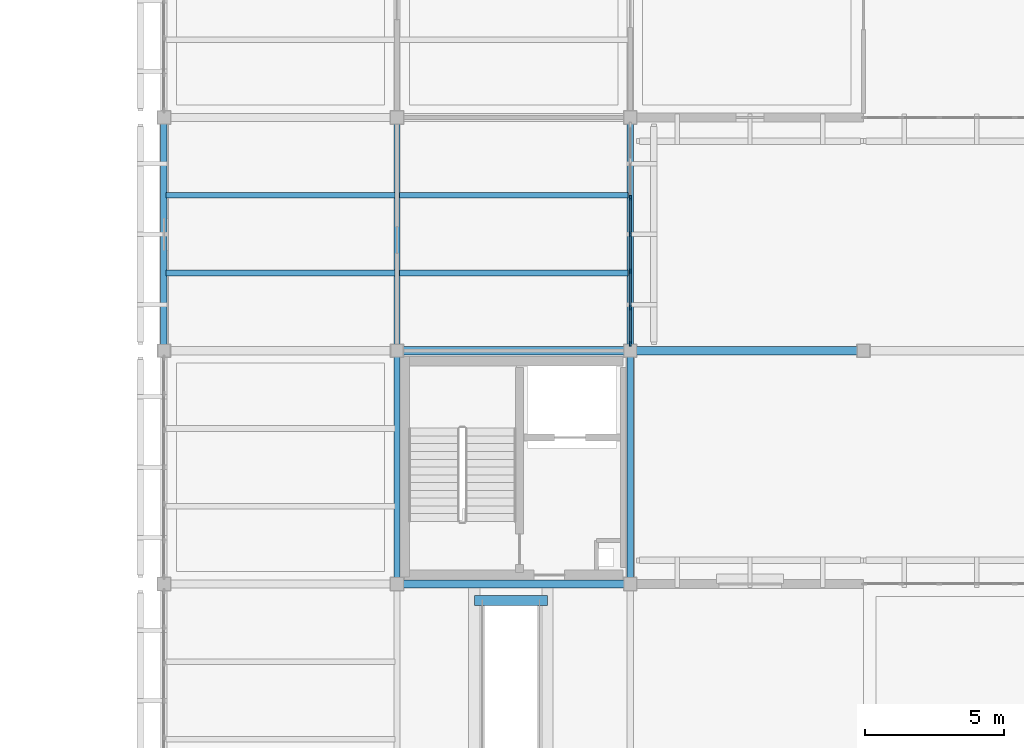
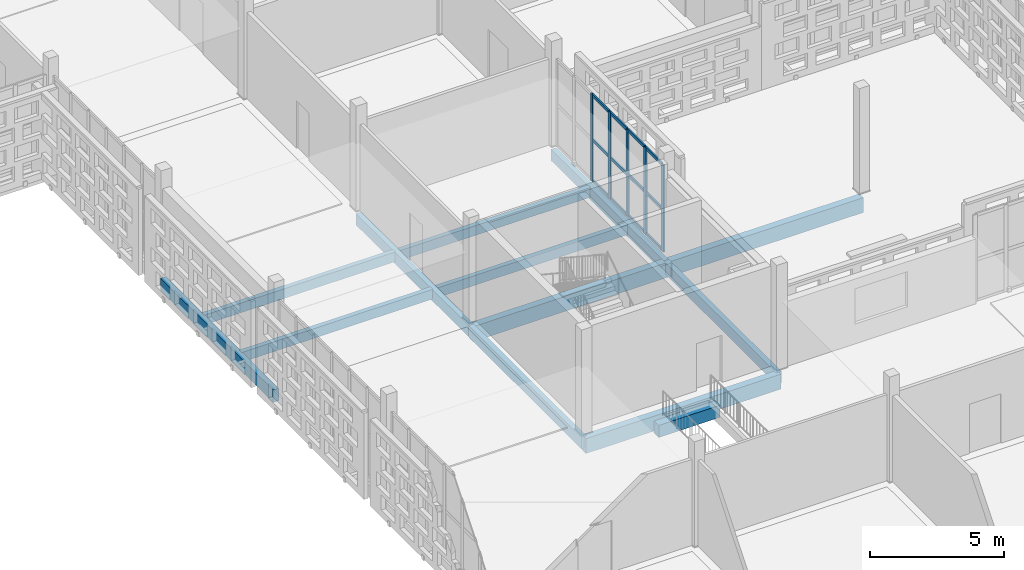
# One storey, part 18 of 203: 17 members, 13 beams, 1 element without a shape of its own.
"""IFC4 building model written with IfcOpenShell, lengths in metres."""

import ifcopenshell
import ifcopenshell.guid

model = None  # the IFC model being written
_history = None  # IfcOwnerHistory: only IFC2X3 demands one
_inside = {}  # id of a spatial element -> (the spatial element, [elements in it])
_under = {}  # id of a project, library or spatial element -> (it, [spatial elements below it])
_declared = {}  # id of a project -> (the project, [libraries it declares])
_typed = {}  # id of a type object -> (the type object, [elements of that type])
_made_of = {}  # id of a material, layer set ... -> (it, [elements and type objects made of it])


def new_model(schema):
    """Start an empty IFC model of exactly this schema.

    Asked for "IFC4X3", IfcOpenShell would pick the latest addendum, in which some entities
    have other attributes; the version numbers below select the first issue.
    IFC2X3 requires an IfcOwnerHistory on every rooted entity: one is made here for all.
    """
    global model, _history
    if schema == "IFC4X3":
        model = ifcopenshell.file(schema_version=(4, 3, 0, 0))
    else:
        model = ifcopenshell.file(schema=schema)
    _inside.clear()
    _under.clear()
    _declared.clear()
    _typed.clear()
    _made_of.clear()
    _history = None
    if model.schema == "IFC2X3":
        org = make("IfcOrganization", Name="unknown")
        user = make(
            "IfcPersonAndOrganization",
            ThePerson=make("IfcPerson", FamilyName="unknown"),
            TheOrganization=org,
        )
        app = make(
            "IfcApplication",
            ApplicationDeveloper=org,
            Version="unknown",
            ApplicationFullName="unknown",
            ApplicationIdentifier="unknown",
        )
        _history = make(
            "IfcOwnerHistory",
            OwningUser=user,
            OwningApplication=app,
            ChangeAction="ADDED",
            CreationDate=0,
        )
    return model


def make(cls, **values):
    """One entity of the class cls with the attributes given. An attribute that is None is left unset."""
    return model.create_entity(
        cls, **{name: value for name, value in values.items() if value is not None}
    )


def rooted(cls, **values):
    """An entity with a GlobalId (a new one), such as an element, a storey or a relation."""
    return make(cls, GlobalId=ifcopenshell.guid.new(), OwnerHistory=_history, **values)


def si_unit(unit_type, name, prefix=None):
    """IfcSIUnit, for example si_unit("LENGTHUNIT", "METRE", prefix="MILLI")."""
    return make("IfcSIUnit", UnitType=unit_type, Prefix=prefix, Name=name)


def assignment(units):
    """IfcUnitAssignment: the units of a project."""
    return None if units is None else make("IfcUnitAssignment", Units=units)


def point(xyz):
    """IfcCartesianPoint."""
    return None if xyz is None else make("IfcCartesianPoint", Coordinates=xyz)


def direction(xyz):
    """IfcDirection."""
    return None if xyz is None else make("IfcDirection", DirectionRatios=xyz)


def frame(location, z_axis=None, x_axis=None):
    """IfcAxis2Placement3D, a coordinate frame: its origin and axes. An axis left out is left unset."""
    return make(
        "IfcAxis2Placement3D",
        Location=point(location),
        Axis=direction(z_axis),
        RefDirection=direction(x_axis),
    )


def frame_2d(location, x_axis=None):
    """IfcAxis2Placement2D, a coordinate frame in the plane: its origin and x axis."""
    return make(
        "IfcAxis2Placement2D", Location=point(location), RefDirection=direction(x_axis)
    )


def origin():
    """The frame at (0, 0, 0) with its axes left unset."""
    return frame((0.0, 0.0, 0.0))


def origin_2d():
    """The frame at (0, 0) in the plane with its x axis left unset."""
    return frame_2d((0.0, 0.0))


def place(relative_to, where):
    """IfcLocalPlacement: puts the frame where relative to a parent placement (None: the world)."""
    return make(
        "IfcLocalPlacement", PlacementRelTo=relative_to, RelativePlacement=where
    )


def context(
    kind, dimensions, precision=None, world=None, true_north=None, identifier=None
):
    """IfcGeometricRepresentationContext, for example the 3D "Model" context."""
    return make(
        "IfcGeometricRepresentationContext",
        ContextIdentifier=identifier,
        ContextType=kind,
        CoordinateSpaceDimension=dimensions,
        Precision=precision,
        WorldCoordinateSystem=world,
        TrueNorth=true_north,
    )


def subcontext(parent, identifier, kind, view, scale=None):
    """IfcGeometricRepresentationSubContext, for example "Body" below "Model"."""
    return make(
        "IfcGeometricRepresentationSubContext",
        ContextIdentifier=identifier,
        ContextType=kind,
        ParentContext=parent,
        TargetScale=scale,
        TargetView=view,
    )


def project(units=None, contexts=None):
    """IfcProject with its units and contexts."""
    return rooted(
        "IfcProject",
        Name="project",
        RepresentationContexts=contexts,
        UnitsInContext=assignment(units),
    )


def spatial(cls, under=None, at=None, **own):
    """A site, building, storey or space (cls), placed at a placement, below another one or the project."""
    s = rooted(cls, ObjectPlacement=at, **own)
    if under is not None:
        _under.setdefault(under.id(), (under, []))[1].append(s)
    return s


def profile(cls, at=None, kind="AREA", **sizes):
    """A parametric profile (cls). Its sizes go by their IFC names, for example OverallWidth=200.0."""
    return make(cls, ProfileType=kind, Position=at, **sizes)


def rectangle(**sizes):
    """IfcRectangleProfileDef."""
    return profile("IfcRectangleProfileDef", **sizes)


def extrude(swept, where, along, depth):
    """IfcExtrudedAreaSolid: the profile swept, set in the frame where, extruded along a direction by depth."""
    return make(
        "IfcExtrudedAreaSolid",
        SweptArea=swept,
        Position=where,
        ExtrudedDirection=direction(along),
        Depth=depth,
    )


def shape(context_of_items, identifier, shape_type, items):
    """IfcShapeRepresentation: the items that make up one representation, for example the "Body"."""
    return make(
        "IfcShapeRepresentation",
        ContextOfItems=context_of_items,
        RepresentationIdentifier=identifier,
        RepresentationType=shape_type,
        Items=items,
    )


def material(Name=None, Category=None):
    """IfcMaterial."""
    return make("IfcMaterial", Name=Name, Category=Category)


def layer(
    of_material, thickness, ventilated=None, Name=None, Category=None, Priority=None
):
    """IfcMaterialLayer: one layer of a wall or slab, of a material (None: an air gap)."""
    return make(
        "IfcMaterialLayer",
        Material=of_material,
        LayerThickness=thickness,
        IsVentilated=ventilated,
        Name=Name,
        Category=Category,
        Priority=Priority,
    )


def layer_set(layers, Name=None):
    """IfcMaterialLayerSet."""
    return make("IfcMaterialLayerSet", MaterialLayers=layers, LayerSetName=Name)


def material_profile(
    of_material, cross_section, Name=None, Category=None, Priority=None
):
    """IfcMaterialProfile: a cross section and its material."""
    return make(
        "IfcMaterialProfile",
        Name=Name,
        Material=of_material,
        Profile=cross_section,
        Priority=Priority,
        Category=Category,
    )


def profile_set(profiles, Name=None, composite=None):
    """IfcMaterialProfileSet."""
    return make(
        "IfcMaterialProfileSet",
        Name=Name,
        MaterialProfiles=profiles,
        CompositeProfile=composite,
    )


def made_of(thing, what):
    """Note that an element or type object is made of a material, layer set ...; save() writes the relation."""
    if what is not None:
        _made_of.setdefault(what.id(), (what, []))[1].append(thing)
    return thing


def type_object(cls, material=None, **own):
    """A type object (cls), such as IfcWallType, which elements share."""
    return made_of(rooted(cls, **own), material)


def element(
    cls,
    number,
    at=None,
    inside=None,
    cuts=None,
    type_object=None,
    material=None,
    context=None,
    identifier="Body",
    shape_type=None,
    held_by="IfcProductDefinitionShape",
    body=None,
    shapes=None,
    **own,
):
    """One element of the class cls, such as IfcWall. Its Tag is "e" and its number.

    at: its placement. inside: the storey or other place that contains it. cuts: it is an
    opening in that element (IfcRelVoidsElement). A single representation is given by context,
    identifier, shape_type and body (its items); several are given by shapes. held_by: the class
    of the entity that holds the representations. save() writes the other relations.
    """
    e = rooted(cls, Tag="e%d" % number, ObjectPlacement=at, **own)
    if body is not None:
        shapes = [shape(context, identifier, shape_type, body)]
    if shapes is not None:
        e.Representation = make(held_by, Representations=shapes)
    if inside is not None:
        _inside.setdefault(inside.id(), (inside, []))[1].append(e)
    if cuts is not None:
        rooted(
            "IfcRelVoidsElement", RelatingBuildingElement=cuts, RelatedOpeningElement=e
        )
    if type_object is not None:
        _typed.setdefault(type_object.id(), (type_object, []))[1].append(e)
    return made_of(e, material)


def aggregate(whole, parts):
    """IfcRelAggregates: a whole, such as a stair, and the parts it consists of."""
    return rooted("IfcRelAggregates", RelatingObject=whole, RelatedObjects=parts)


def save(model, path):
    """Write the relations noted so far, then the file.

    IfcRelAggregates (storeys below a building ...), IfcRelContainedInSpatialStructure (elements
    in a storey), IfcRelDefinesByType, IfcRelAssociatesMaterial and IfcRelDeclares: one each for
    every whole, place, type object, material and project.
    """
    for whole, parts in _under.values():
        aggregate(whole, parts)
    for where, things in _inside.values():
        rooted(
            "IfcRelContainedInSpatialStructure",
            RelatedElements=things,
            RelatingStructure=where,
        )
    for kind, things in _typed.values():
        rooted("IfcRelDefinesByType", RelatedObjects=things, RelatingType=kind)
    for what, things in _made_of.values():
        rooted("IfcRelAssociatesMaterial", RelatedObjects=things, RelatingMaterial=what)
    for by, libraries in _declared.values():
        rooted("IfcRelDeclares", RelatingContext=by, RelatedDefinitions=libraries)
    model.write(path)


model = new_model("IFC4")

# Units and contexts
model_context = context("Model", 3, precision=1e-05, world=origin(), true_north=direction((0.0, 1.0)))
body_context = subcontext(model_context, "Body", "Model", "MODEL_VIEW")
ifc_project = project(units=[si_unit("LENGTHUNIT", "METRE"), si_unit("AREAUNIT", "SQUARE_METRE"), si_unit("VOLUMEUNIT", "CUBIC_METRE"), si_unit("PLANEANGLEUNIT", "RADIAN"), si_unit("MASSUNIT", "GRAM", prefix="KILO")], contexts=[model_context])

# Site, building, storey
site_placement = place(None, origin())
site = spatial("IfcSite", under=ifc_project, at=site_placement, CompositionType="ELEMENT")
building_placement = place(site_placement, origin())
building = spatial("IfcBuilding", under=site, at=building_placement, Name="Varnapada Polytechnic", CompositionType="ELEMENT")
storey_placement = place(building_placement, frame((0.0, 0.0, 4.800048828125)))
storey = spatial("IfcBuildingStorey", under=building, at=storey_placement, Name="L01", CompositionType="ELEMENT", Elevation=4.800048828125)

# Beams
ifc_material_1 = material(Name="Concrete C40/50", Category="concrete")
ifc_material_profile_1 = material_profile(ifc_material_1, rectangle(XDim=0.35009765625, YDim=0.550048828125, at=origin_2d()), Name="RC 350x550")
ifc_profile_set_1 = profile_set([ifc_material_profile_1], Name="Concrete C40/50")
beam_type_1 = type_object("IfcBeamType", Name="Concrete podium spandrel beam SP-01 (RC 350x550)", PredefinedType="SPANDREL", material=ifc_profile_set_1)
beam_1_placement = place(storey_placement, frame((19.580078125, 16.199951171875, -0.53515625), z_axis=(1.0, 0.0, 0.0), x_axis=(0.0, 1.0, 0.0)))
element("IfcBeam", 1, at=beam_1_placement, inside=storey, type_object=beam_type_1, Name="L01 feature stair ST-F1 arrival beam", PredefinedType="SPANDREL", context=body_context, shape_type="SweptSolid", body=[
    extrude(rectangle(XDim=0.35009765625, YDim=0.550048828125, at=origin_2d()), origin(), (0.0, 0.0, 1.0), 2.639892578125),
])
ifc_material_2 = material(Name="Glulam GL32h", Category="wood")
ifc_material_profile_2 = material_profile(ifc_material_2, rectangle(XDim=0.199951171875, YDim=0.43994140625, at=origin_2d()), Name="GL 200x440")
ifc_profile_set_2 = profile_set([ifc_material_profile_2], Name="Glulam GL32h")
beam_type_2 = type_object("IfcBeamType", Name="Heavy laboratory glulam joist GJ-03 (GL 200x440)", PredefinedType="JOIST", material=ifc_profile_set_2)
for number, where, z_axis, x_axis, name in (
    (2, (8.47998046875, 28.0, -0.47998046875), (1.0, 0.0, 0.0), (0.0, 1.0, 0.0), "L01 floor joist 2/4.1"),
    (3, (8.47998046875, 30.800048828125, -0.47998046875), (1.0, 0.0, 0.0), (0.0, 1.0, 0.0), "L01 floor joist 2/4.2"),
):
    element("IfcBeam", number, at=place(storey_placement, frame(where, z_axis=z_axis, x_axis=x_axis)), inside=storey, type_object=beam_type_2, Name=name, PredefinedType="JOIST", context=body_context, shape_type="SweptSolid", body=[
        extrude(rectangle(XDim=0.199951171875, YDim=0.43994140625, at=origin_2d()), origin(), (0.0, 0.0, 1.0), 8.239990234375),
    ])
for number, where, z_axis, x_axis, name in (
    (4, (16.8798828125, 28.0, -0.489990234375), (1.0, 0.0, 0.0), (0.0, 1.0, 0.0), "L01 floor joist 3/4.1"),
    (5, (16.8798828125, 30.800048828125, -0.489990234375), (1.0, 0.0, 0.0), (0.0, 1.0, 0.0), "L01 floor joist 3/4.2"),
):
    element("IfcBeam", number, at=place(storey_placement, frame(where, z_axis=z_axis, x_axis=x_axis)), inside=storey, type_object=beam_type_2, Name=name, PredefinedType="JOIST", context=body_context, shape_type="SweptSolid", body=[
        extrude(rectangle(XDim=0.199951171875, YDim=0.43994140625, at=origin_2d()), origin(), (0.0, 0.0, 1.0), 8.240234375),
    ])
ifc_material_profile_3 = material_profile(ifc_material_2, rectangle(XDim=0.219970703125, YDim=0.52001953125, at=origin_2d()), Name="GL 220x520")
ifc_profile_set_3 = profile_set([ifc_material_profile_3], Name="Glulam GL32h")
beam_type_3 = type_object("IfcBeamType", Name="Laboratory transverse glulam beam GB-12 (GL 220x520)", PredefinedType="BEAM", material=ifc_profile_set_3)
beam_2_placement = place(storey_placement, frame((16.800048828125, 16.800048828125, -0.52001953125), z_axis=(0.0, 1.0, 0.0), x_axis=(-1.0, 0.0, 0.0)))
element("IfcBeam", 6, at=beam_2_placement, inside=storey, type_object=beam_type_3, Name="L01 beam Y 3-4 at X3", PredefinedType="BEAM", context=body_context, shape_type="SweptSolid", body=[
    extrude(rectangle(XDim=0.219970703125, YDim=0.52001953125, at=origin_2d()), origin(), (0.0, 0.0, 1.0), 8.39990234375),
])
beam_3_placement = place(storey_placement, frame((16.800048828125, 25.199951171875, -0.52001953125), z_axis=(0.0, 1.0, 0.0), x_axis=(-1.0, 0.0, 0.0)))
element("IfcBeam", 7, at=beam_3_placement, inside=storey, type_object=beam_type_3, Name="L01 beam Y 4-5 at X3", PredefinedType="BEAM", context=body_context, shape_type="SweptSolid", body=[
    extrude(rectangle(XDim=0.219970703125, YDim=0.52001953125, at=origin_2d()), origin(), (0.0, 0.0, 1.0), 8.400146484375),
])
beam_4_placement = place(storey_placement, frame((25.199951171875, 16.800048828125, -0.530029296875), z_axis=(0.0, 1.0, 0.0), x_axis=(-1.0, 0.0, 0.0)))
element("IfcBeam", 8, at=beam_4_placement, inside=storey, type_object=beam_type_3, Name="L01 beam Y 3-4 at X4", PredefinedType="BEAM", context=body_context, shape_type="SweptSolid", body=[
    extrude(rectangle(XDim=0.219970703125, YDim=0.52001953125, at=origin_2d()), origin(), (0.0, 0.0, 1.0), 8.39990234375),
])
beam_5_placement = place(storey_placement, frame((25.199951171875, 25.199951171875, -0.530029296875), z_axis=(0.0, 1.0, 0.0), x_axis=(-1.0, 0.0, 0.0)))
element("IfcBeam", 9, at=beam_5_placement, inside=storey, type_object=beam_type_3, Name="L01 beam Y 4-5 at X4", PredefinedType="BEAM", context=body_context, shape_type="SweptSolid", body=[
    extrude(rectangle(XDim=0.219970703125, YDim=0.52001953125, at=origin_2d()), origin(), (0.0, 0.0, 1.0), 8.400146484375),
])

# Curtain wall, members
ifc_material_3 = material(Name="Double low-E laminated glass", Category="glass")
ifc_layer = layer(ifc_material_3, 0.179931640625)
ifc_layer_set = layer_set([ifc_layer], Name="Double low-E laminated glass")
curtain_wall_type = type_object("IfcCurtainWallType", Name="Curtain Wall CW-03", PredefinedType="NOTDEFINED", material=ifc_layer_set)
curtain_wall_placement = place(storey_placement, origin())
curtain_wall = element("IfcCurtainWall", 10, at=curtain_wall_placement, inside=storey, type_object=curtain_wall_type, Name="L01 unitised curtain wall CW-03 (32)", PredefinedType="NOTDEFINED")
ifc_material_4 = material(Name="Anodised aluminium", Category="aluminium")
ifc_material_profile_4 = material_profile(ifc_material_4, rectangle(XDim=0.06494140625, YDim=0.179931640625, at=origin_2d()), Name="ALU M65x180")
ifc_profile_set_4 = profile_set([ifc_material_profile_4], Name="Anodised aluminium")
member_type_1 = type_object("IfcMemberType", Name="Mullion M-02", PredefinedType="MULLION", material=ifc_profile_set_4)
member_1_placement = place(storey_placement, frame((25.199951171875, 30.719970703125, 0.0), z_axis=(0.0, 0.0, 1.0), x_axis=(1.0, 0.0, 0.0)))
member_1 = element("IfcMember", 11, at=member_1_placement, type_object=member_type_1, Name="CW-03 mullion 3", PredefinedType="MULLION", context=body_context, shape_type="SweptSolid", body=[
    extrude(rectangle(XDim=0.06494140625, YDim=0.179931640625, at=origin_2d()), origin(), (0.0, 0.0, 1.0), 3.9599609375),
])
member_2_placement = place(storey_placement, frame((25.199951171875, 29.39501953125, 0.0), z_axis=(0.0, 0.0, 1.0), x_axis=(1.0, 0.0, 0.0)))
member_2 = element("IfcMember", 12, at=member_2_placement, type_object=member_type_1, Name="CW-03 mullion 4", PredefinedType="MULLION", context=body_context, shape_type="SweptSolid", body=[
    extrude(rectangle(XDim=0.06494140625, YDim=0.179931640625, at=origin_2d()), origin(), (0.0, 0.0, 1.0), 3.9599609375),
])
member_3_placement = place(storey_placement, frame((25.199951171875, 28.070068359375, 0.0), z_axis=(0.0, 0.0, 1.0), x_axis=(1.0, 0.0, 0.0)))
member_3 = element("IfcMember", 13, at=member_3_placement, type_object=member_type_1, Name="CW-03 mullion 5", PredefinedType="MULLION", context=body_context, shape_type="SweptSolid", body=[
    extrude(rectangle(XDim=0.06494140625, YDim=0.179931640625, at=origin_2d()), origin(), (0.0, 0.0, 1.0), 3.9599609375),
])
member_4_placement = place(storey_placement, frame((25.199951171875, 26.7451171875, 0.0), z_axis=(0.0, 0.0, 1.0), x_axis=(1.0, 0.0, 0.0)))
member_4 = element("IfcMember", 14, at=member_4_placement, type_object=member_type_1, Name="CW-03 mullion 6", PredefinedType="MULLION", context=body_context, shape_type="SweptSolid", body=[
    extrude(rectangle(XDim=0.06494140625, YDim=0.179931640625, at=origin_2d()), origin(), (0.0, 0.0, 1.0), 3.9599609375),
])
member_5_placement = place(storey_placement, frame((25.199951171875, 25.452392578125, 0.0), z_axis=(0.0, 0.0, 1.0), x_axis=(1.0, 0.0, 0.0)))
member_5 = element("IfcMember", 15, at=member_5_placement, type_object=member_type_1, Name="CW-03 mullion 7", PredefinedType="MULLION", context=body_context, shape_type="SweptSolid", body=[
    extrude(rectangle(XDim=0.06494140625, YDim=0.179931640625, at=origin_2d()), origin(), (0.0, 0.0, 1.0), 3.9599609375),
])

# Beam
ifc_material_profile_5 = material_profile(ifc_material_2, rectangle(XDim=0.239990234375, YDim=0.56005859375, at=origin_2d()), Name="GL 240x560")
ifc_profile_set_5 = profile_set([ifc_material_profile_5], Name="Glulam GL32h")
beam_type_4 = type_object("IfcBeamType", Name="Perimeter glulam spandrel beam SP-02 (GL 240x560)", PredefinedType="SPANDREL", material=ifc_profile_set_5)
beam_6_placement = place(storey_placement, frame((8.39990234375, 25.199951171875, -0.5400390625), z_axis=(0.0, 1.0, 0.0), x_axis=(-1.0, 0.0, 0.0)))
element("IfcBeam", 16, at=beam_6_placement, inside=storey, type_object=beam_type_4, Name="L01 beam Y 4-5 at X2", PredefinedType="SPANDREL", context=body_context, shape_type="SweptSolid", body=[
    extrude(rectangle(XDim=0.239990234375, YDim=0.56005859375, at=origin_2d()), origin(), (0.0, 0.0, 1.0), 8.400146484375),
])

# Member
ifc_material_profile_6 = material_profile(ifc_material_4, rectangle(XDim=0.06494140625, YDim=0.139892578125, at=origin_2d()), Name="ALU T65x140")
ifc_profile_set_6 = profile_set([ifc_material_profile_6], Name="Anodised aluminium")
member_type_2 = type_object("IfcMemberType", Name="Transom T-02", PredefinedType="USERDEFINED", material=ifc_profile_set_6)
member_6_placement = place(storey_placement, frame((25.199951171875, 30.6875, 0.032470703125), z_axis=(0.0, -1.0, 0.0), x_axis=(1.0, 0.0, 0.0)))
member_6 = element("IfcMember", 17, at=member_6_placement, type_object=member_type_2, Name="CW-03 transom 3.1", ObjectType="TRANSOM", PredefinedType="USERDEFINED", context=body_context, shape_type="SweptSolid", body=[
    extrude(rectangle(XDim=0.06494140625, YDim=0.139892578125, at=origin_2d()), origin(), (0.0, 0.0, 1.0), 1.260009765625),
])

member_7_placement = place(storey_placement, frame((25.199951171875, 30.6875, 1.900634765625), z_axis=(0.0, -1.0, 0.0), x_axis=(1.0, 0.0, 0.0)))
member_7 = element("IfcMember", 18, at=member_7_placement, type_object=member_type_2, Name="CW-03 transom 3.2", ObjectType="TRANSOM", PredefinedType="USERDEFINED", context=body_context, shape_type="SweptSolid", body=[
    extrude(rectangle(XDim=0.06494140625, YDim=0.139892578125, at=origin_2d()), origin(), (0.0, 0.0, 1.0), 1.260009765625),
])

member_8_placement = place(storey_placement, frame((25.199951171875, 30.6875, 3.927490234375), z_axis=(0.0, -1.0, 0.0), x_axis=(1.0, 0.0, 0.0)))
member_8 = element("IfcMember", 19, at=member_8_placement, type_object=member_type_2, Name="CW-03 transom 3.3", ObjectType="TRANSOM", PredefinedType="USERDEFINED", context=body_context, shape_type="SweptSolid", body=[
    extrude(rectangle(XDim=0.06494140625, YDim=0.139892578125, at=origin_2d()), origin(), (0.0, 0.0, 1.0), 1.260009765625),
])

member_9_placement = place(storey_placement, frame((25.199951171875, 29.362548828125, 0.032470703125), z_axis=(0.0, -1.0, 0.0), x_axis=(1.0, 0.0, 0.0)))
member_9 = element("IfcMember", 20, at=member_9_placement, type_object=member_type_2, Name="CW-03 transom 4.1", ObjectType="TRANSOM", PredefinedType="USERDEFINED", context=body_context, shape_type="SweptSolid", body=[
    extrude(rectangle(XDim=0.06494140625, YDim=0.139892578125, at=origin_2d()), origin(), (0.0, 0.0, 1.0), 1.260009765625),
])

member_10_placement = place(storey_placement, frame((25.199951171875, 29.362548828125, 1.900634765625), z_axis=(0.0, -1.0, 0.0), x_axis=(1.0, 0.0, 0.0)))
member_10 = element("IfcMember", 21, at=member_10_placement, type_object=member_type_2, Name="CW-03 transom 4.2", ObjectType="TRANSOM", PredefinedType="USERDEFINED", context=body_context, shape_type="SweptSolid", body=[
    extrude(rectangle(XDim=0.06494140625, YDim=0.139892578125, at=origin_2d()), origin(), (0.0, 0.0, 1.0), 1.260009765625),
])

member_11_placement = place(storey_placement, frame((25.199951171875, 29.362548828125, 3.927490234375), z_axis=(0.0, -1.0, 0.0), x_axis=(1.0, 0.0, 0.0)))
member_11 = element("IfcMember", 22, at=member_11_placement, type_object=member_type_2, Name="CW-03 transom 4.3", ObjectType="TRANSOM", PredefinedType="USERDEFINED", context=body_context, shape_type="SweptSolid", body=[
    extrude(rectangle(XDim=0.06494140625, YDim=0.139892578125, at=origin_2d()), origin(), (0.0, 0.0, 1.0), 1.260009765625),
])

member_12_placement = place(storey_placement, frame((25.199951171875, 28.03759765625, 0.032470703125), z_axis=(0.0, -1.0, 0.0), x_axis=(1.0, 0.0, 0.0)))
member_12 = element("IfcMember", 23, at=member_12_placement, type_object=member_type_2, Name="CW-03 transom 5.1", ObjectType="TRANSOM", PredefinedType="USERDEFINED", context=body_context, shape_type="SweptSolid", body=[
    extrude(rectangle(XDim=0.06494140625, YDim=0.139892578125, at=origin_2d()), origin(), (0.0, 0.0, 1.0), 1.260009765625),
])

member_13_placement = place(storey_placement, frame((25.199951171875, 28.03759765625, 1.900634765625), z_axis=(0.0, -1.0, 0.0), x_axis=(1.0, 0.0, 0.0)))
member_13 = element("IfcMember", 24, at=member_13_placement, type_object=member_type_2, Name="CW-03 transom 5.2", ObjectType="TRANSOM", PredefinedType="USERDEFINED", context=body_context, shape_type="SweptSolid", body=[
    extrude(rectangle(XDim=0.06494140625, YDim=0.139892578125, at=origin_2d()), origin(), (0.0, 0.0, 1.0), 1.260009765625),
])

member_14_placement = place(storey_placement, frame((25.199951171875, 28.03759765625, 3.927490234375), z_axis=(0.0, -1.0, 0.0), x_axis=(1.0, 0.0, 0.0)))
member_14 = element("IfcMember", 25, at=member_14_placement, type_object=member_type_2, Name="CW-03 transom 5.3", ObjectType="TRANSOM", PredefinedType="USERDEFINED", context=body_context, shape_type="SweptSolid", body=[
    extrude(rectangle(XDim=0.06494140625, YDim=0.139892578125, at=origin_2d()), origin(), (0.0, 0.0, 1.0), 1.260009765625),
])

member_15_placement = place(storey_placement, frame((25.199951171875, 26.71240234375, 0.032470703125), z_axis=(0.0, -1.0, 0.0), x_axis=(1.0, 0.0, 0.0)))
member_15 = element("IfcMember", 26, at=member_15_placement, type_object=member_type_2, Name="CW-03 transom 6.1", ObjectType="TRANSOM", PredefinedType="USERDEFINED", context=body_context, shape_type="SweptSolid", body=[
    extrude(rectangle(XDim=0.06494140625, YDim=0.139892578125, at=origin_2d()), origin(), (0.0, 0.0, 1.0), 1.227294921875),
])

member_16_placement = place(storey_placement, frame((25.199951171875, 26.71240234375, 1.900634765625), z_axis=(0.0, -1.0, 0.0), x_axis=(1.0, 0.0, 0.0)))
member_16 = element("IfcMember", 27, at=member_16_placement, type_object=member_type_2, Name="CW-03 transom 6.2", ObjectType="TRANSOM", PredefinedType="USERDEFINED", context=body_context, shape_type="SweptSolid", body=[
    extrude(rectangle(XDim=0.06494140625, YDim=0.139892578125, at=origin_2d()), origin(), (0.0, 0.0, 1.0), 1.227294921875),
])

member_17_placement = place(storey_placement, frame((25.199951171875, 26.71240234375, 3.927490234375), z_axis=(0.0, -1.0, 0.0), x_axis=(1.0, 0.0, 0.0)))
member_17 = element("IfcMember", 28, at=member_17_placement, type_object=member_type_2, Name="CW-03 transom 6.3", ObjectType="TRANSOM", PredefinedType="USERDEFINED", context=body_context, shape_type="SweptSolid", body=[
    extrude(rectangle(XDim=0.06494140625, YDim=0.139892578125, at=origin_2d()), origin(), (0.0, 0.0, 1.0), 1.227294921875),
])

aggregate(curtain_wall, [member_1, member_2, member_3, member_4, member_5, member_6, member_7, member_8, member_9, member_10, member_11, member_12, member_13, member_14, member_15, member_16, member_17])

# Beams
ifc_material_profile_7 = material_profile(ifc_material_2, rectangle(XDim=0.300048828125, YDim=0.679931640625, at=origin_2d()), Name="GL 300x680")
ifc_profile_set_7 = profile_set([ifc_material_profile_7], Name="Glulam GL32h")
beam_type_5 = type_object("IfcBeamType", Name="Wet laboratory glulam girder GG-04 (GL 300x680)", PredefinedType="BEAM", material=ifc_profile_set_7)
for number, where, z_axis, x_axis, name in (
    (29, (16.800048828125, 16.800048828125, -0.610107421875), (1.0, 0.0, 0.0), (0.0, 1.0, 0.0), "L01 beam X 3-4 at Y3"),
    (30, (16.800048828125, 25.199951171875, -0.610107421875), (1.0, 0.0, 0.0), (0.0, 1.0, 0.0), "L01 beam X 3-4 at Y4"),
):
    element("IfcBeam", number, at=place(storey_placement, frame(where, z_axis=z_axis, x_axis=x_axis)), inside=storey, type_object=beam_type_5, Name=name, PredefinedType="BEAM", context=body_context, shape_type="SweptSolid", body=[
        extrude(rectangle(XDim=0.300048828125, YDim=0.679931640625, at=origin_2d()), origin(), (0.0, 0.0, 1.0), 8.39990234375),
    ])
beam_7_placement = place(storey_placement, frame((25.199951171875, 25.199951171875, -0.610107421875), z_axis=(1.0, 0.0, 0.0), x_axis=(0.0, 1.0, 0.0)))
element("IfcBeam", 31, at=beam_7_placement, inside=storey, type_object=beam_type_5, Name="L01 beam X 4-5 at Y4", PredefinedType="BEAM", context=body_context, shape_type="SweptSolid", body=[
    extrude(rectangle(XDim=0.300048828125, YDim=0.679931640625, at=origin_2d()), origin(), (0.0, 0.0, 1.0), 8.400146484375),
])

save(model, "model.ifc")
